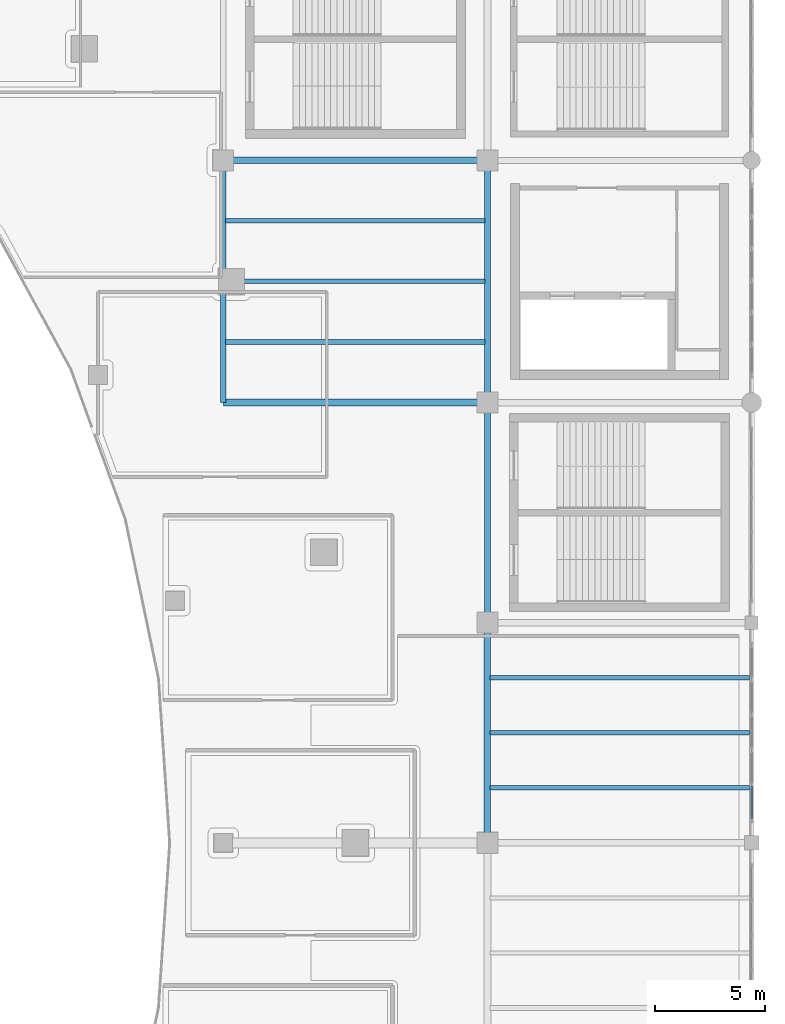
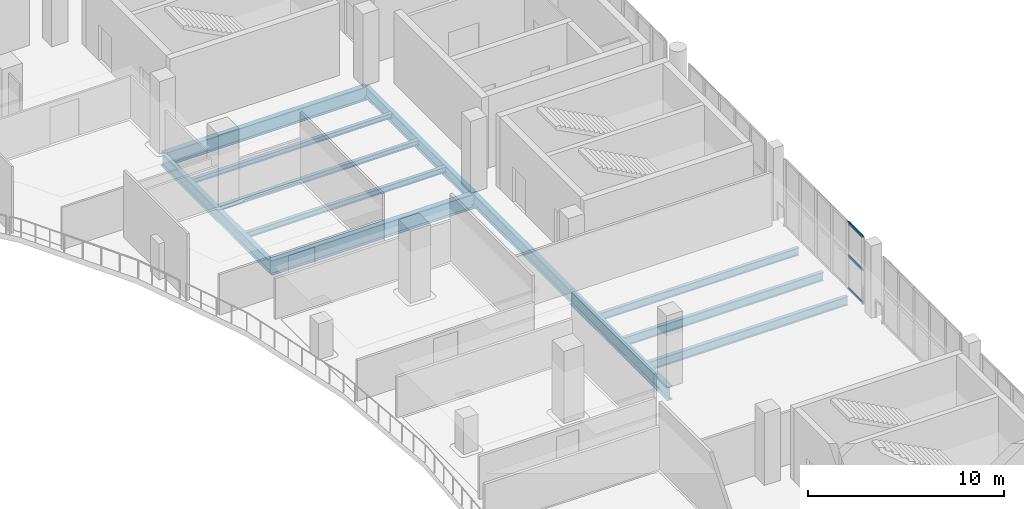
# One storey, part 40 of 90: 12 beams, 3 members, 1 element without a shape of its own.
"""IFC4 building model written with IfcOpenShell, lengths in metres."""

from ifc_helpers import new_model, si_unit, direction, frame, origin, origin_2d, place, context, subcontext, project, spatial, hollow_rectangle, i_section, extrude, material, layer, layer_set, material_profile, profile_set, type_object, element, aggregate, save


model = new_model("IFC4")

# Units and contexts
model_context = context("Model", 3, precision=1e-05, world=origin(), true_north=direction((0.0, 1.0)))
body_context = subcontext(model_context, "Body", "Model", "MODEL_VIEW")
ifc_project = project(units=[si_unit("LENGTHUNIT", "METRE"), si_unit("AREAUNIT", "SQUARE_METRE"), si_unit("VOLUMEUNIT", "CUBIC_METRE"), si_unit("PLANEANGLEUNIT", "RADIAN"), si_unit("MASSUNIT", "GRAM", prefix="KILO")], contexts=[model_context])

# Site, building, storey
site_placement = place(None, origin())
site = spatial("IfcSite", under=ifc_project, at=site_placement, CompositionType="ELEMENT")
building_placement = place(site_placement, origin())
building = spatial("IfcBuilding", under=site, at=building_placement, Name="Brinegate Civic Arena", CompositionType="ELEMENT")
storey_placement = place(building_placement, frame((0.0, 0.0, 14.699951171875)))
storey = spatial("IfcBuildingStorey", under=building, at=storey_placement, Name="L03", CompositionType="ELEMENT", Elevation=14.699951171875)

# Curtain wall, members
ifc_material_1 = material(Name="Marine grade aluminium", Category="aluminium")
ifc_layer = layer(ifc_material_1, 0.199951171875, Name="Marine grade aluminium")
ifc_layer_set = layer_set([ifc_layer], Name="Marine grade aluminium")
curtain_wall_type = type_object("IfcCurtainWallType", Name="CW-BOWL-GLAZED-01", PredefinedType="USERDEFINED", material=ifc_layer_set)
curtain_wall_placement = place(storey_placement, origin())
curtain_wall = element("IfcCurtainWall", 1, at=curtain_wall_placement, inside=storey, type_object=curtain_wall_type, Name="Curtain Wall CWA-114", ObjectType="GLAZED CURTAIN WALL", PredefinedType="USERDEFINED")
ifc_material_profile_1 = material_profile(ifc_material_1, hollow_rectangle(XDim=0.06494140625, YDim=0.1650390625, WallThickness=0.0048828125, InnerFilletRadius=0.00390625, OuterFilletRadius=0.008056640625, at=origin_2d()), Name="TRN65X165")
ifc_profile_set_1 = profile_set([ifc_material_profile_1], Name="Marine grade aluminium")
member_type = type_object("IfcMemberType", Name="CW-TRANSOM-65X165", PredefinedType="USERDEFINED", material=ifc_profile_set_1)
member_1_placement = place(storey_placement, frame((168.0, 63.0849609375, 0.032470703125), z_axis=(0.0, 1.0, 0.0), x_axis=(-1.0, 0.0, 0.0)))
member_1 = element("IfcMember", 2, at=member_1_placement, type_object=member_type, Name="CWA-114 transom 1.1", ObjectType="TRANSOM", PredefinedType="USERDEFINED", context=body_context, shape_type="SweptSolid", body=[
    extrude(hollow_rectangle(XDim=0.06494140625, YDim=0.1650390625, WallThickness=0.0048828125, InnerFilletRadius=0.00390625, OuterFilletRadius=0.008056640625, at=origin_2d()), origin(), (0.0, 0.0, 1.0), 1.49072265625),
])
member_2_placement = place(storey_placement, frame((168.0, 63.0849609375, 2.080078125), z_axis=(0.0, 1.0, 0.0), x_axis=(-1.0, 0.0, 0.0)))
member_2 = element("IfcMember", 3, at=member_2_placement, type_object=member_type, Name="CWA-114 transom 1.2", ObjectType="TRANSOM", PredefinedType="USERDEFINED", context=body_context, shape_type="SweptSolid", body=[
    extrude(hollow_rectangle(XDim=0.06494140625, YDim=0.1650390625, WallThickness=0.0048828125, InnerFilletRadius=0.00390625, OuterFilletRadius=0.008056640625, at=origin_2d()), origin(), (0.0, 0.0, 1.0), 1.49072265625),
])
member_3_placement = place(storey_placement, frame((168.0, 63.0849609375, 4.12744140625), z_axis=(0.0, 1.0, 0.0), x_axis=(-1.0, 0.0, 0.0)))
member_3 = element("IfcMember", 4, at=member_3_placement, type_object=member_type, Name="CWA-114 transom 1.3", ObjectType="TRANSOM", PredefinedType="USERDEFINED", context=body_context, shape_type="SweptSolid", body=[
    extrude(hollow_rectangle(XDim=0.06494140625, YDim=0.1650390625, WallThickness=0.0048828125, InnerFilletRadius=0.00390625, OuterFilletRadius=0.008056640625, at=origin_2d()), origin(), (0.0, 0.0, 1.0), 1.49072265625),
])
aggregate(curtain_wall, [member_1, member_2, member_3])

# Beams
ifc_material_2 = material(Name="Steel S355", Category="steel")
ifc_material_profile_2 = material_profile(ifc_material_2, i_section(OverallWidth=0.256103515625, OverallDepth=0.693115234375, WebThickness=0.014892578125, FlangeThickness=0.02392578125, FilletRadius=0.01806640625, at=origin_2d()), Name="W690X170")
ifc_profile_set_2 = profile_set([ifc_material_profile_2], Name="Steel S355")
beam_type_1 = type_object("IfcBeamType", Name="GIRDER-W690X170", PredefinedType="BEAM", material=ifc_profile_set_2)
beam_1_placement = place(storey_placement, frame((156.0, 82.0, -0.696044921875), z_axis=(0.0, 1.0, 0.0), x_axis=(-1.0, 0.0, 0.0)))
element("IfcBeam", 5, at=beam_1_placement, inside=storey, type_object=beam_type_1, Name="Floor Girder BM-L03-GY-13-08", PredefinedType="BEAM", context=body_context, shape_type="SweptSolid", body=[
    extrude(i_section(OverallWidth=0.256103515625, OverallDepth=0.693115234375, WebThickness=0.014892578125, FlangeThickness=0.02392578125, FilletRadius=0.01806640625, at=origin_2d()), origin(), (0.0, 0.0, 1.0), 11.0),
])
ifc_material_profile_3 = material_profile(ifc_material_2, i_section(OverallWidth=0.26806640625, OverallDepth=0.77001953125, WebThickness=0.01611328125, FlangeThickness=0.02490234375, FilletRadius=0.02001953125, at=origin_2d()), Name="W760X196")
ifc_profile_set_3 = profile_set([ifc_material_profile_3], Name="Steel S355")
beam_type_2 = type_object("IfcBeamType", Name="GIRDER-W760X196", PredefinedType="BEAM", material=ifc_profile_set_3)
beam_2_placement = place(storey_placement, frame((144.0, 82.0, -0.73486328125), z_axis=(0.0, 1.0, 0.0), x_axis=(-1.0, 0.0, 0.0)))
element("IfcBeam", 6, at=beam_2_placement, inside=storey, type_object=beam_type_2, Name="Floor Girder BM-L03-GY-12-08", PredefinedType="BEAM", context=body_context, shape_type="SweptSolid", body=[
    extrude(i_section(OverallWidth=0.26806640625, OverallDepth=0.77001953125, WebThickness=0.01611328125, FlangeThickness=0.02490234375, FilletRadius=0.02001953125, at=origin_2d()), origin(), (0.0, 0.0, 1.0), 11.0),
])
beam_3_placement = place(storey_placement, frame((156.0, 72.0, -0.73486328125), z_axis=(0.0, 1.0, 0.0), x_axis=(-1.0, 0.0, 0.0)))
element("IfcBeam", 7, at=beam_3_placement, inside=storey, type_object=beam_type_2, Name="Floor Girder BM-L03-GY-13-07", PredefinedType="BEAM", context=body_context, shape_type="SweptSolid", body=[
    extrude(i_section(OverallWidth=0.26806640625, OverallDepth=0.77001953125, WebThickness=0.01611328125, FlangeThickness=0.02490234375, FilletRadius=0.02001953125, at=origin_2d()), origin(), (0.0, 0.0, 1.0), 10.0),
])
ifc_material_profile_4 = material_profile(ifc_material_2, i_section(OverallWidth=0.2939453125, OverallDepth=0.85107421875, WebThickness=0.01611328125, FlangeThickness=0.027099609375, FilletRadius=0.02197265625, at=origin_2d()), Name="W840X226")
ifc_profile_set_4 = profile_set([ifc_material_profile_4], Name="Steel S355")
beam_type_3 = type_object("IfcBeamType", Name="GIRDER-W840X226", PredefinedType="BEAM", material=ifc_profile_set_4)
beam_4_placement = place(storey_placement, frame((144.0, 93.0, -0.77490234375), z_axis=(1.0, 0.0, 0.0), x_axis=(0.0, 1.0, 0.0)))
element("IfcBeam", 8, at=beam_4_placement, inside=storey, type_object=beam_type_3, Name="Floor Girder BM-L03-GX-12-09", PredefinedType="BEAM", context=body_context, shape_type="SweptSolid", body=[
    extrude(i_section(OverallWidth=0.2939453125, OverallDepth=0.85107421875, WebThickness=0.01611328125, FlangeThickness=0.027099609375, FilletRadius=0.02197265625, at=origin_2d()), origin(), (0.0, 0.0, 1.0), 12.0),
])
beam_5_placement = place(storey_placement, frame((156.0, 62.0, -0.77490234375), z_axis=(0.0, 1.0, 0.0), x_axis=(-1.0, 0.0, 0.0)))
element("IfcBeam", 9, at=beam_5_placement, inside=storey, type_object=beam_type_3, Name="Floor Girder BM-L03-GY-13-06", PredefinedType="BEAM", context=body_context, shape_type="SweptSolid", body=[
    extrude(i_section(OverallWidth=0.2939453125, OverallDepth=0.85107421875, WebThickness=0.01611328125, FlangeThickness=0.027099609375, FilletRadius=0.02197265625, at=origin_2d()), origin(), (0.0, 0.0, 1.0), 10.0),
])
ifc_material_profile_5 = material_profile(ifc_material_2, i_section(OverallWidth=0.30810546875, OverallDepth=0.927001953125, WebThickness=0.01904296875, FlangeThickness=0.031982421875, FilletRadius=0.02392578125, at=origin_2d()), Name="W920X289")
ifc_profile_set_5 = profile_set([ifc_material_profile_5], Name="Steel S355")
beam_type_4 = type_object("IfcBeamType", Name="GIRDER-W920X289", PredefinedType="BEAM", material=ifc_profile_set_5)
beam_6_placement = place(storey_placement, frame((144.0, 82.0, -0.81298828125), z_axis=(1.0, 0.0, 0.0), x_axis=(0.0, 1.0, 0.0)))
element("IfcBeam", 10, at=beam_6_placement, inside=storey, type_object=beam_type_4, Name="Floor Girder BM-L03-GX-12-08", PredefinedType="BEAM", context=body_context, shape_type="SweptSolid", body=[
    extrude(i_section(OverallWidth=0.30810546875, OverallDepth=0.927001953125, WebThickness=0.01904296875, FlangeThickness=0.031982421875, FilletRadius=0.02392578125, at=origin_2d()), origin(), (0.0, 0.0, 1.0), 12.0),
])
ifc_material_profile_6 = material_profile(ifc_material_2, i_section(OverallWidth=0.202880859375, OverallDepth=0.302978515625, WebThickness=0.008056640625, FlangeThickness=0.012939453125, FilletRadius=0.012939453125, at=origin_2d()), Name="W310X60")
ifc_profile_set_6 = profile_set([ifc_material_profile_6], Name="Steel S355")
beam_type_5 = type_object("IfcBeamType", Name="JOIST-W310X60", PredefinedType="JOIST", material=ifc_profile_set_6)
beam_7_placement = place(storey_placement, frame((144.10595703125, 90.25, -0.5009765625), z_axis=(1.0, 0.0, 0.0), x_axis=(0.0, 1.0, 0.0)))
element("IfcBeam", 11, at=beam_7_placement, inside=storey, type_object=beam_type_5, Name="Secondary Joist BM-L03-JX-12-08-3", PredefinedType="JOIST", context=body_context, shape_type="SweptSolid", body=[
    extrude(i_section(OverallWidth=0.202880859375, OverallDepth=0.302978515625, WebThickness=0.008056640625, FlangeThickness=0.012939453125, FilletRadius=0.012939453125, at=origin_2d()), origin(), (0.0, 0.0, 1.0), 11.7880859375),
])
ifc_material_profile_7 = material_profile(ifc_material_2, i_section(OverallWidth=0.205078125, OverallDepth=0.31005859375, WebThickness=0.009033203125, FlangeThickness=0.01611328125, FilletRadius=0.012939453125, at=origin_2d()), Name="W310X74")
ifc_profile_set_7 = profile_set([ifc_material_profile_7], Name="Steel S355")
beam_type_6 = type_object("IfcBeamType", Name="JOIST-W310X74", PredefinedType="JOIST", material=ifc_profile_set_7)
beam_8_placement = place(storey_placement, frame((144.10595703125, 87.5, -0.5048828125), z_axis=(1.0, 0.0, 0.0), x_axis=(0.0, 1.0, 0.0)))
element("IfcBeam", 12, at=beam_8_placement, inside=storey, type_object=beam_type_6, Name="Secondary Joist BM-L03-JX-12-08-2", PredefinedType="JOIST", context=body_context, shape_type="SweptSolid", body=[
    extrude(i_section(OverallWidth=0.205078125, OverallDepth=0.31005859375, WebThickness=0.009033203125, FlangeThickness=0.01611328125, FilletRadius=0.012939453125, at=origin_2d()), origin(), (0.0, 0.0, 1.0), 11.7880859375),
])
ifc_material_profile_8 = material_profile(ifc_material_2, i_section(OverallWidth=0.205078125, OverallDepth=0.35400390625, WebThickness=0.009033203125, FlangeThickness=0.01708984375, FilletRadius=0.013916015625, at=origin_2d()), Name="W360X79")
ifc_profile_set_8 = profile_set([ifc_material_profile_8], Name="Steel S355")
beam_type_7 = type_object("IfcBeamType", Name="JOIST-W360X79", PredefinedType="JOIST", material=ifc_profile_set_8)
beam_9_placement = place(storey_placement, frame((144.10595703125, 84.75, -0.52685546875), z_axis=(1.0, 0.0, 0.0), x_axis=(0.0, 1.0, 0.0)))
element("IfcBeam", 13, at=beam_9_placement, inside=storey, type_object=beam_type_7, Name="Secondary Joist BM-L03-JX-12-08-1", PredefinedType="JOIST", context=body_context, shape_type="SweptSolid", body=[
    extrude(i_section(OverallWidth=0.205078125, OverallDepth=0.35400390625, WebThickness=0.009033203125, FlangeThickness=0.01708984375, FilletRadius=0.013916015625, at=origin_2d()), origin(), (0.0, 0.0, 1.0), 11.7880859375),
])
ifc_material_profile_9 = material_profile(ifc_material_2, i_section(OverallWidth=0.195068359375, OverallDepth=0.472900390625, WebThickness=0.011962890625, FlangeThickness=0.02197265625, FilletRadius=0.014892578125, at=origin_2d()), Name="W460X113")
ifc_profile_set_9 = profile_set([ifc_material_profile_9], Name="Steel S355")
beam_type_8 = type_object("IfcBeamType", Name="JOIST-W460X113", PredefinedType="JOIST", material=ifc_profile_set_9)
beam_10_placement = place(storey_placement, frame((156.10595703125, 69.5, -0.5859375), z_axis=(1.0, 0.0, 0.0), x_axis=(0.0, 1.0, 0.0)))
element("IfcBeam", 14, at=beam_10_placement, inside=storey, type_object=beam_type_8, Name="Secondary Joist BM-L03-JX-13-06-3", PredefinedType="JOIST", context=body_context, shape_type="SweptSolid", body=[
    extrude(i_section(OverallWidth=0.195068359375, OverallDepth=0.472900390625, WebThickness=0.011962890625, FlangeThickness=0.02197265625, FilletRadius=0.014892578125, at=origin_2d()), origin(), (0.0, 0.0, 1.0), 11.7880859375),
])
ifc_material_profile_10 = material_profile(ifc_material_2, i_section(OverallWidth=0.2109375, OverallDepth=0.5390625, WebThickness=0.011962890625, FlangeThickness=0.01904296875, FilletRadius=0.01611328125, at=origin_2d()), Name="W530X109")
ifc_profile_set_10 = profile_set([ifc_material_profile_10], Name="Steel S355")
beam_type_9 = type_object("IfcBeamType", Name="JOIST-W530X109", PredefinedType="JOIST", material=ifc_profile_set_10)
beam_11_placement = place(storey_placement, frame((156.10595703125, 67.0, -0.618896484375), z_axis=(1.0, 0.0, 0.0), x_axis=(0.0, 1.0, 0.0)))
element("IfcBeam", 15, at=beam_11_placement, inside=storey, type_object=beam_type_9, Name="Secondary Joist BM-L03-JX-13-06-2", PredefinedType="JOIST", context=body_context, shape_type="SweptSolid", body=[
    extrude(i_section(OverallWidth=0.2109375, OverallDepth=0.5390625, WebThickness=0.011962890625, FlangeThickness=0.01904296875, FilletRadius=0.01611328125, at=origin_2d()), origin(), (0.0, 0.0, 1.0), 11.7880859375),
])
ifc_material_profile_11 = material_profile(ifc_material_2, i_section(OverallWidth=0.214111328125, OverallDepth=0.549072265625, WebThickness=0.014892578125, FlangeThickness=0.02392578125, FilletRadius=0.01611328125, at=origin_2d()), Name="W530X138")
ifc_profile_set_11 = profile_set([ifc_material_profile_11], Name="Steel S355")
beam_type_10 = type_object("IfcBeamType", Name="JOIST-W530X138", PredefinedType="JOIST", material=ifc_profile_set_11)
beam_12_placement = place(storey_placement, frame((156.10595703125, 64.5, -0.6240234375), z_axis=(1.0, 0.0, 0.0), x_axis=(0.0, 1.0, 0.0)))
element("IfcBeam", 16, at=beam_12_placement, inside=storey, type_object=beam_type_10, Name="Secondary Joist BM-L03-JX-13-06-1", PredefinedType="JOIST", context=body_context, shape_type="SweptSolid", body=[
    extrude(i_section(OverallWidth=0.214111328125, OverallDepth=0.549072265625, WebThickness=0.014892578125, FlangeThickness=0.02392578125, FilletRadius=0.01611328125, at=origin_2d()), origin(), (0.0, 0.0, 1.0), 11.7880859375),
])

save(model, "model.ifc")
